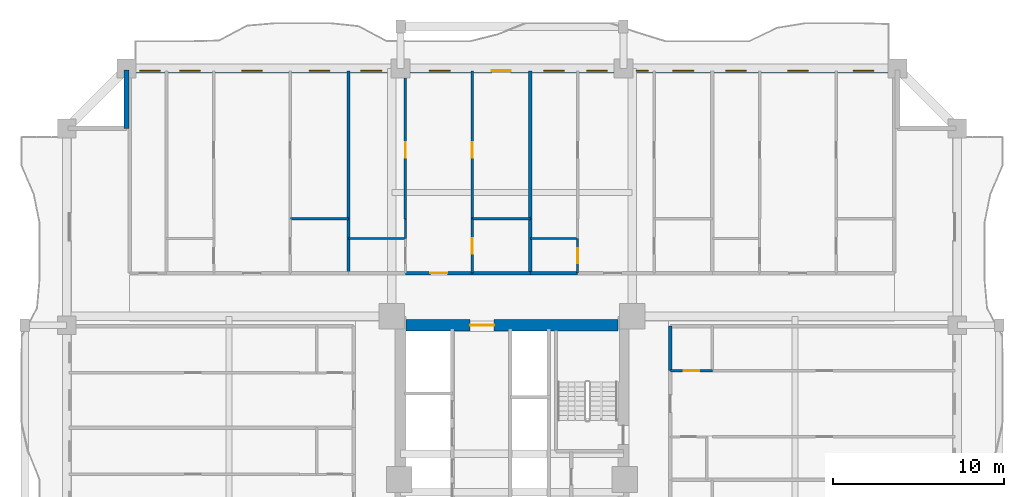
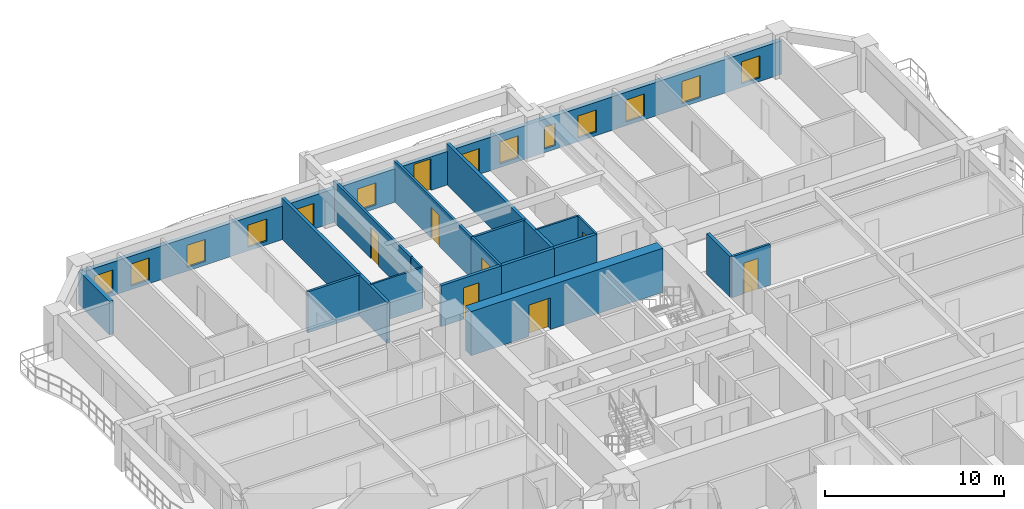
# One storey, part 7 of 16: 19 walls, 13 windows, 8 doors, 21 openings.
"""IFC4 building model written with IfcOpenShell, lengths in metres."""

from ifc_helpers import new_model, si_unit, direction, frame, frame_2d, origin, place, context, subcontext, project, spatial, rectangle, extrude, source, transform, mapped, material, layer, layer_set, type_object, element, fill, save


model = new_model("IFC4")

# Units and contexts
model_context = context("Model", 3, precision=1e-05, world=origin(), true_north=direction((0.0, 1.0)))
body_context = subcontext(model_context, "Body", "Model", "MODEL_VIEW")
ifc_project = project(units=[si_unit("LENGTHUNIT", "METRE"), si_unit("AREAUNIT", "SQUARE_METRE"), si_unit("VOLUMEUNIT", "CUBIC_METRE"), si_unit("PLANEANGLEUNIT", "RADIAN"), si_unit("MASSUNIT", "GRAM", prefix="KILO")], contexts=[model_context])

# Site, building, storey
site_placement = place(None, origin())
site = spatial("IfcSite", under=ifc_project, at=site_placement, CompositionType="ELEMENT")
building_placement = place(site_placement, origin())
building = spatial("IfcBuilding", under=site, at=building_placement, Name="Saelheon Loggia Tower", CompositionType="ELEMENT")
storey_placement = place(building_placement, frame((0.0, 0.0, 31.39990234375)))
storey = spatial("IfcBuildingStorey", under=building, at=storey_placement, Name="L09", CompositionType="ELEMENT", Elevation=31.39990234375)

# Wall, opening, door
ifc_material_1 = material(Name="Concrete C60/75", Category="concrete")
ifc_layer_1 = layer(ifc_material_1, 0.64990234375)
ifc_layer_set_1 = layer_set([ifc_layer_1], Name="Concrete C60/75")
wall_type_1 = type_object("IfcWallType", Name="Wall_CoreShear_650", PredefinedType="SHEAR", material=ifc_layer_set_1)
wall_1_placement = place(storey_placement, frame((31.824951171875, 36.0, 0.0), z_axis=(0.0, 0.0, 1.0), x_axis=(1.0, 0.0, 0.0)))
wall_1 = element("IfcWall", 1, at=wall_1_placement, inside=storey, type_object=wall_type_1, Name="L09 Core Shear Wall North", PredefinedType="SHEAR", context=body_context, shape_type="SweptSolid", body=[
    extrude(rectangle(XDim=12.35009765625, YDim=0.64990234375, at=frame_2d((6.175048828125, 0.0))), origin(), (0.0, 0.0, 1.0), 3.0),
])
opening_1_placement = place(wall_1_placement, frame((5.125, 0.0, 0.0), z_axis=(0.0, 0.0, 1.0), x_axis=(-1.0, 0.0, 0.0)))
opening_1 = element("IfcOpeningElement", 2, at=opening_1_placement, cuts=wall_1, Name="Opening D-FD2L", PredefinedType="OPENING", context=body_context, shape_type="SweptSolid", body=[
    extrude(rectangle(XDim=1.39990234375, YDim=2.14990234375, at=frame_2d((0.699951171875, 1.074951171875))), frame((0.0, 0.3369140625, 0.0), z_axis=(0.0, -1.0, 0.0), x_axis=(1.0, 0.0, 0.0)), (0.0, 0.0, 1.0), 0.673828125),
])
ifc_material_2 = material(Name="Galvanised Steel Glazed Lobby Fire Door", Category="steel")
door_type_1 = type_object("IfcDoorType", Name="Door_Fire_FD60_1400", OperationType="NOTDEFINED", PredefinedType="DOOR", material=ifc_material_2)
shared_shape_1 = source(origin(), body_context, "Body", "SweptSolid", [
    extrude(rectangle(XDim=1.39990234375, YDim=2.14990234375, at=frame_2d((0.699951171875, 1.074951171875))), frame((0.0, 0.02490234375, 0.0), z_axis=(0.0, -1.0, 0.0), x_axis=(1.0, 0.0, 0.0)), (0.0, 0.0, 1.0), 0.050048828125),
])
door_1_placement = place(opening_1_placement, origin())
door_1 = element("IfcDoor", 3, at=door_1_placement, inside=storey, type_object=door_type_1, Name="L09 Passenger Lift Lobby Main Door", OperationType="SINGLE_SWING_RIGHT", OverallHeight=2.14990234375, OverallWidth=1.39990234375, PredefinedType="DOOR", context=body_context, shape_type="MappedRepresentation", body=[
    mapped(shared_shape_1, transform((0.0, 0.0, 0.0), scale=1.0)),
])
fill(opening_1, door_1)

# Wall, openings, windows, door
ifc_material_3 = material(Name="Architectural Precast Concrete C40/50", Category="concrete")
ifc_layer_2 = layer(ifc_material_3, 0.280029296875)
ifc_layer_set_2 = layer_set([ifc_layer_2], Name="Architectural Precast Concrete C40/50")
wall_type_2 = type_object("IfcWallType", Name="Wall_Ext_Loggia_280", PredefinedType="SOLIDWALL", material=ifc_layer_set_2)
wall_2_placement = place(storey_placement, frame((15.5, 50.860107421875, 0.0), z_axis=(0.0, 0.0, 1.0), x_axis=(1.0, 0.0, 0.0)))
wall_2 = element("IfcWall", 4, at=wall_2_placement, inside=storey, type_object=wall_type_2, Name="L09 North Loggia Inner Wall", PredefinedType="SOLIDWALL", context=body_context, shape_type="SweptSolid", body=[
    extrude(rectangle(XDim=45.0, YDim=0.280029296875, at=frame_2d((22.5, 0.0))), origin(), (0.0, 0.0, 1.0), 2.280029296875),
])
opening_2_placement = place(wall_2_placement, frame((0.760009765625, 0.0, 0.25)))
opening_2 = element("IfcOpeningElement", 5, at=opening_2_placement, cuts=wall_2, Name="Opening WN-03", PredefinedType="OPENING", context=body_context, shape_type="SweptSolid", body=[
    extrude(rectangle(XDim=1.199951171875, YDim=1.5, at=frame_2d((0.60009765625, 0.75))), frame((0.0, 0.152099609375, 0.0), z_axis=(0.0, -1.0, 0.0), x_axis=(1.0, 0.0, 0.0)), (0.0, 0.0, 1.0), 0.303955078125),
])
opening_3_placement = place(wall_2_placement, frame((3.11083984375, 0.0, 0.25)))
opening_3 = element("IfcOpeningElement", 6, at=opening_3_placement, cuts=wall_2, Name="Opening WN-03", PredefinedType="OPENING", context=body_context, shape_type="SweptSolid", body=[
    extrude(rectangle(XDim=1.199951171875, YDim=1.5, at=frame_2d((0.60009765625, 0.75))), frame((0.0, 0.152099609375, 0.0), z_axis=(0.0, -1.0, 0.0), x_axis=(1.0, 0.0, 0.0)), (0.0, 0.0, 1.0), 0.303955078125),
])
opening_4_placement = place(wall_2_placement, frame((6.72265625, 0.0, 0.25)))
opening_4 = element("IfcOpeningElement", 7, at=opening_4_placement, cuts=wall_2, Name="Opening WN-03", PredefinedType="OPENING", context=body_context, shape_type="SweptSolid", body=[
    extrude(rectangle(XDim=1.199951171875, YDim=1.5, at=frame_2d((0.60009765625, 0.75))), frame((0.0, 0.152099609375, 0.0), z_axis=(0.0, -1.0, 0.0), x_axis=(1.0, 0.0, 0.0)), (0.0, 0.0, 1.0), 0.303955078125),
])
opening_5_placement = place(wall_2_placement, frame((10.65283203125, 0.0, 0.25)))
opening_5 = element("IfcOpeningElement", 8, at=opening_5_placement, cuts=wall_2, Name="Opening WN-03", PredefinedType="OPENING", context=body_context, shape_type="SweptSolid", body=[
    extrude(rectangle(XDim=1.199951171875, YDim=1.5, at=frame_2d((0.60009765625, 0.75))), frame((0.0, 0.152099609375, 0.0), z_axis=(0.0, -1.0, 0.0), x_axis=(1.0, 0.0, 0.0)), (0.0, 0.0, 1.0), 0.303955078125),
])
opening_6_placement = place(wall_2_placement, frame((13.681396484375, 0.0, 0.25)))
opening_6 = element("IfcOpeningElement", 9, at=opening_6_placement, cuts=wall_2, Name="Opening WN-03", PredefinedType="OPENING", context=body_context, shape_type="SweptSolid", body=[
    extrude(rectangle(XDim=1.199951171875, YDim=1.5, at=frame_2d((0.60009765625, 0.75))), frame((0.0, 0.152099609375, 0.0), z_axis=(0.0, -1.0, 0.0), x_axis=(1.0, 0.0, 0.0)), (0.0, 0.0, 1.0), 0.303955078125),
])
opening_7_placement = place(wall_2_placement, frame((17.682861328125, 0.0, 0.25)))
opening_7 = element("IfcOpeningElement", 10, at=opening_7_placement, cuts=wall_2, Name="Opening WN-03", PredefinedType="OPENING", context=body_context, shape_type="SweptSolid", body=[
    extrude(rectangle(XDim=1.199951171875, YDim=1.5, at=frame_2d((0.60009765625, 0.75))), frame((0.0, 0.152099609375, 0.0), z_axis=(0.0, -1.0, 0.0), x_axis=(1.0, 0.0, 0.0)), (0.0, 0.0, 1.0), 0.303955078125),
])
opening_8_placement = place(wall_2_placement, frame((21.325439453125, 0.0, 0.0)))
opening_8 = element("IfcOpeningElement", 11, at=opening_8_placement, cuts=wall_2, Name="Opening TD1", PredefinedType="OPENING", context=body_context, shape_type="SweptSolid", body=[
    extrude(rectangle(XDim=1.10009765625, YDim=2.14990234375, at=frame_2d((0.550048828125, 1.074951171875))), frame((0.0, 0.152099609375, 0.0), z_axis=(0.0, -1.0, 0.0), x_axis=(1.0, 0.0, 0.0)), (0.0, 0.0, 1.0), 0.303955078125),
])
opening_9_placement = place(wall_2_placement, frame((24.35595703125, 0.0, 0.25)))
opening_9 = element("IfcOpeningElement", 12, at=opening_9_placement, cuts=wall_2, Name="Opening WN-03", PredefinedType="OPENING", context=body_context, shape_type="SweptSolid", body=[
    extrude(rectangle(XDim=1.199951171875, YDim=1.5, at=frame_2d((0.60009765625, 0.75))), frame((0.0, 0.152099609375, 0.0), z_axis=(0.0, -1.0, 0.0), x_axis=(1.0, 0.0, 0.0)), (0.0, 0.0, 1.0), 0.303955078125),
])
opening_10_placement = place(wall_2_placement, frame((26.873291015625, 0.0, 0.25)))
opening_10 = element("IfcOpeningElement", 13, at=opening_10_placement, cuts=wall_2, Name="Opening WN-03", PredefinedType="OPENING", context=body_context, shape_type="SweptSolid", body=[
    extrude(rectangle(XDim=1.199951171875, YDim=1.5, at=frame_2d((0.60009765625, 0.75))), frame((0.0, 0.152099609375, 0.0), z_axis=(0.0, -1.0, 0.0), x_axis=(1.0, 0.0, 0.0)), (0.0, 0.0, 1.0), 0.303955078125),
])
opening_11_placement = place(wall_2_placement, frame((29.744140625, 0.0, 0.25)))
opening_11 = element("IfcOpeningElement", 14, at=opening_11_placement, cuts=wall_2, Name="Opening WN-06", PredefinedType="OPENING", context=body_context, shape_type="SweptSolid", body=[
    extrude(rectangle(XDim=0.699951171875, YDim=1.5, at=frame_2d((0.35009765625, 0.75))), frame((0.0, 0.152099609375, 0.0), z_axis=(0.0, -1.0, 0.0), x_axis=(1.0, 0.0, 0.0)), (0.0, 0.0, 1.0), 0.303955078125),
])
opening_12_placement = place(wall_2_placement, frame((31.89794921875, 0.0, 0.25)))
opening_12 = element("IfcOpeningElement", 15, at=opening_12_placement, cuts=wall_2, Name="Opening WN-03", PredefinedType="OPENING", context=body_context, shape_type="SweptSolid", body=[
    extrude(rectangle(XDim=1.199951171875, YDim=1.5, at=frame_2d((0.60009765625, 0.75))), frame((0.0, 0.152099609375, 0.0), z_axis=(0.0, -1.0, 0.0), x_axis=(1.0, 0.0, 0.0)), (0.0, 0.0, 1.0), 0.303955078125),
])
opening_13_placement = place(wall_2_placement, frame((34.978515625, 0.0, 0.25)))
opening_13 = element("IfcOpeningElement", 16, at=opening_13_placement, cuts=wall_2, Name="Opening WN-03", PredefinedType="OPENING", context=body_context, shape_type="SweptSolid", body=[
    extrude(rectangle(XDim=1.199951171875, YDim=1.5, at=frame_2d((0.60009765625, 0.75))), frame((0.0, 0.152099609375, 0.0), z_axis=(0.0, -1.0, 0.0), x_axis=(1.0, 0.0, 0.0)), (0.0, 0.0, 1.0), 0.303955078125),
])
opening_14_placement = place(wall_2_placement, frame((38.590087890625, 0.0, 0.25)))
opening_14 = element("IfcOpeningElement", 17, at=opening_14_placement, cuts=wall_2, Name="Opening WN-03", PredefinedType="OPENING", context=body_context, shape_type="SweptSolid", body=[
    extrude(rectangle(XDim=1.199951171875, YDim=1.5, at=frame_2d((0.60009765625, 0.75))), frame((0.0, 0.152099609375, 0.0), z_axis=(0.0, -1.0, 0.0), x_axis=(1.0, 0.0, 0.0)), (0.0, 0.0, 1.0), 0.303955078125),
])
opening_15_placement = place(wall_2_placement, frame((42.415283203125, 0.0, 0.25)))
opening_15 = element("IfcOpeningElement", 18, at=opening_15_placement, cuts=wall_2, Name="Opening WN-03", PredefinedType="OPENING", context=body_context, shape_type="SweptSolid", body=[
    extrude(rectangle(XDim=1.199951171875, YDim=1.5, at=frame_2d((0.60009765625, 0.75))), frame((0.0, 0.152099609375, 0.0), z_axis=(0.0, -1.0, 0.0), x_axis=(1.0, 0.0, 0.0)), (0.0, 0.0, 1.0), 0.303955078125),
])
ifc_material_4 = material(Name="Thermal-Break Aluminium and Triple Low-E Glass", Category="aluminium")
window_type_1 = type_object("IfcWindowType", Name="Win_Slot_700x1500", PartitioningType="SINGLE_PANEL", PredefinedType="WINDOW", material=ifc_material_4)
shared_shape_2 = source(origin(), body_context, "Body", "SweptSolid", [
    extrude(rectangle(XDim=0.699951171875, YDim=1.5, at=frame_2d((0.35009765625, 0.75))), frame((0.0, 0.030029296875, 0.0), z_axis=(0.0, -1.0, 0.0), x_axis=(1.0, 0.0, 0.0)), (0.0, 0.0, 1.0), 0.06005859375),
])
window_1_placement = place(opening_11_placement, origin())
window_1 = element("IfcWindow", 19, at=window_1_placement, inside=storey, type_object=window_type_1, Name="L09 N Dwelling Window 10", OverallHeight=1.5, OverallWidth=0.699951171875, PartitioningType="SINGLE_PANEL", PredefinedType="WINDOW", context=body_context, shape_type="MappedRepresentation", body=[
    mapped(shared_shape_2, transform((0.0, 0.0, 0.0), scale=1.0)),
])
fill(opening_11, window_1)
window_type_2 = type_object("IfcWindowType", Name="Win_Bedroom_1200x1500", PartitioningType="SINGLE_PANEL", PredefinedType="WINDOW", material=ifc_material_4)
shared_shape_3 = source(origin(), body_context, "Body", "SweptSolid", [
    extrude(rectangle(XDim=1.199951171875, YDim=1.5, at=frame_2d((0.60009765625, 0.75))), frame((0.0, 0.030029296875, 0.0), z_axis=(0.0, -1.0, 0.0), x_axis=(1.0, 0.0, 0.0)), (0.0, 0.0, 1.0), 0.06005859375),
])
window_2_placement = place(opening_2_placement, origin())
window_2 = element("IfcWindow", 20, at=window_2_placement, inside=storey, type_object=window_type_2, Name="L09 N Dwelling Window 1", OverallHeight=1.5, OverallWidth=1.199951171875, PartitioningType="SINGLE_PANEL", PredefinedType="WINDOW", context=body_context, shape_type="MappedRepresentation", body=[
    mapped(shared_shape_3, transform((0.0, 0.0, 0.0), scale=1.0)),
])
fill(opening_2, window_2)
window_3_placement = place(opening_3_placement, origin())
window_3 = element("IfcWindow", 21, at=window_3_placement, inside=storey, type_object=window_type_2, Name="L09 N Dwelling Window 2", OverallHeight=1.5, OverallWidth=1.199951171875, PartitioningType="SINGLE_PANEL", PredefinedType="WINDOW", context=body_context, shape_type="MappedRepresentation", body=[
    mapped(shared_shape_3, transform((0.0, 0.0, 0.0), scale=1.0)),
])
fill(opening_3, window_3)
window_4_placement = place(opening_4_placement, origin())
window_4 = element("IfcWindow", 22, at=window_4_placement, inside=storey, type_object=window_type_2, Name="L09 N Dwelling Window 3", OverallHeight=1.5, OverallWidth=1.199951171875, PartitioningType="SINGLE_PANEL", PredefinedType="WINDOW", context=body_context, shape_type="MappedRepresentation", body=[
    mapped(shared_shape_3, transform((0.0, 0.0, 0.0), scale=1.0)),
])
fill(opening_4, window_4)
window_5_placement = place(opening_5_placement, origin())
window_5 = element("IfcWindow", 23, at=window_5_placement, inside=storey, type_object=window_type_2, Name="L09 N Dwelling Window 4", OverallHeight=1.5, OverallWidth=1.199951171875, PartitioningType="SINGLE_PANEL", PredefinedType="WINDOW", context=body_context, shape_type="MappedRepresentation", body=[
    mapped(shared_shape_3, transform((0.0, 0.0, 0.0), scale=1.0)),
])
fill(opening_5, window_5)
window_6_placement = place(opening_6_placement, origin())
window_6 = element("IfcWindow", 24, at=window_6_placement, inside=storey, type_object=window_type_2, Name="L09 N Dwelling Window 5", OverallHeight=1.5, OverallWidth=1.199951171875, PartitioningType="SINGLE_PANEL", PredefinedType="WINDOW", context=body_context, shape_type="MappedRepresentation", body=[
    mapped(shared_shape_3, transform((0.0, 0.0, 0.0), scale=1.0)),
])
fill(opening_6, window_6)
window_7_placement = place(opening_7_placement, origin())
window_7 = element("IfcWindow", 25, at=window_7_placement, inside=storey, type_object=window_type_2, Name="L09 N Dwelling Window 6", OverallHeight=1.5, OverallWidth=1.199951171875, PartitioningType="SINGLE_PANEL", PredefinedType="WINDOW", context=body_context, shape_type="MappedRepresentation", body=[
    mapped(shared_shape_3, transform((0.0, 0.0, 0.0), scale=1.0)),
])
fill(opening_7, window_7)
window_8_placement = place(opening_9_placement, origin())
window_8 = element("IfcWindow", 26, at=window_8_placement, inside=storey, type_object=window_type_2, Name="L09 N Dwelling Window 8", OverallHeight=1.5, OverallWidth=1.199951171875, PartitioningType="SINGLE_PANEL", PredefinedType="WINDOW", context=body_context, shape_type="MappedRepresentation", body=[
    mapped(shared_shape_3, transform((0.0, 0.0, 0.0), scale=1.0)),
])
fill(opening_9, window_8)
window_9_placement = place(opening_10_placement, origin())
window_9 = element("IfcWindow", 27, at=window_9_placement, inside=storey, type_object=window_type_2, Name="L09 N Dwelling Window 9", OverallHeight=1.5, OverallWidth=1.199951171875, PartitioningType="SINGLE_PANEL", PredefinedType="WINDOW", context=body_context, shape_type="MappedRepresentation", body=[
    mapped(shared_shape_3, transform((0.0, 0.0, 0.0), scale=1.0)),
])
fill(opening_10, window_9)
window_10_placement = place(opening_12_placement, origin())
window_10 = element("IfcWindow", 28, at=window_10_placement, inside=storey, type_object=window_type_2, Name="L09 N Dwelling Window 11", OverallHeight=1.5, OverallWidth=1.199951171875, PartitioningType="SINGLE_PANEL", PredefinedType="WINDOW", context=body_context, shape_type="MappedRepresentation", body=[
    mapped(shared_shape_3, transform((0.0, 0.0, 0.0), scale=1.0)),
])
fill(opening_12, window_10)
window_11_placement = place(opening_13_placement, origin())
window_11 = element("IfcWindow", 29, at=window_11_placement, inside=storey, type_object=window_type_2, Name="L09 N Dwelling Window 12", OverallHeight=1.5, OverallWidth=1.199951171875, PartitioningType="SINGLE_PANEL", PredefinedType="WINDOW", context=body_context, shape_type="MappedRepresentation", body=[
    mapped(shared_shape_3, transform((0.0, 0.0, 0.0), scale=1.0)),
])
fill(opening_13, window_11)
window_12_placement = place(opening_14_placement, origin())
window_12 = element("IfcWindow", 30, at=window_12_placement, inside=storey, type_object=window_type_2, Name="L09 N Dwelling Window 13", OverallHeight=1.5, OverallWidth=1.199951171875, PartitioningType="SINGLE_PANEL", PredefinedType="WINDOW", context=body_context, shape_type="MappedRepresentation", body=[
    mapped(shared_shape_3, transform((0.0, 0.0, 0.0), scale=1.0)),
])
fill(opening_14, window_12)
window_13_placement = place(opening_15_placement, origin())
window_13 = element("IfcWindow", 31, at=window_13_placement, inside=storey, type_object=window_type_2, Name="L09 N Dwelling Window 14", OverallHeight=1.5, OverallWidth=1.199951171875, PartitioningType="SINGLE_PANEL", PredefinedType="WINDOW", context=body_context, shape_type="MappedRepresentation", body=[
    mapped(shared_shape_3, transform((0.0, 0.0, 0.0), scale=1.0)),
])
fill(opening_15, window_13)
ifc_material_5 = material(Name="Thermal-Break Aluminium Glazed Door", Category="aluminium")
door_type_2 = type_object("IfcDoorType", Name="Door_Terrace_TD1", OperationType="NOTDEFINED", PredefinedType="DOOR", material=ifc_material_5)
shared_shape_4 = source(origin(), body_context, "Body", "SweptSolid", [
    extrude(rectangle(XDim=1.10009765625, YDim=2.14990234375, at=frame_2d((0.550048828125, 1.074951171875))), frame((0.0, 0.02490234375, 0.0), z_axis=(0.0, -1.0, 0.0), x_axis=(1.0, 0.0, 0.0)), (0.0, 0.0, 1.0), 0.050048828125),
])
door_2_placement = place(opening_8_placement, origin())
door_2 = element("IfcDoor", 32, at=door_2_placement, inside=storey, type_object=door_type_2, Name="L09 N Loggia Access Door", OperationType="SINGLE_SWING_LEFT", OverallHeight=2.14990234375, OverallWidth=1.10009765625, PredefinedType="DOOR", context=body_context, shape_type="MappedRepresentation", body=[
    mapped(shared_shape_4, transform((0.0, 0.0, 0.0), scale=1.0)),
])
fill(opening_8, door_2)

# Walls
wall_3_placement = place(storey_placement, frame((15.5, 47.5, 0.0), z_axis=(0.0, 0.0, 1.0), x_axis=(0.0, 1.0, 0.0)))
element("IfcWall", 33, at=wall_3_placement, inside=storey, type_object=wall_type_2, Name="L09 Corner Notch Precast Wall NW1", PredefinedType="SOLIDWALL", context=body_context, shape_type="SweptSolid", body=[
    extrude(rectangle(XDim=3.419921875, YDim=0.280029296875, at=frame_2d((1.7099609375, 0.0))), origin(), (0.0, 0.0, 1.0), 2.280029296875),
])
ifc_material_6 = material(Name="Lightweight Autoclaved Aerated Concrete Block and Acoustic Gypsum", Category="concrete")
ifc_layer_3 = layer(ifc_material_6, 0.14990234375)
ifc_layer_set_3 = layer_set([ifc_layer_3], Name="Lightweight Autoclaved Aerated Concrete Block and Acoustic Gypsum")
wall_type_3 = type_object("IfcWallType", Name="Wall_Part_150", PredefinedType="PARTITIONING", material=ifc_layer_set_3)
for number, where, z_axis, x_axis, name in (
    (34, (25.05322265625, 42.219970703125, 0.0), (0.0, 0.0, 1.0), (1.0, 0.0, 0.0), "L09 N Partition V09"),
    (35, (35.67578125, 42.219970703125, 0.0), (0.0, 0.0, 1.0), (1.0, 0.0, 0.0), "L09 N Partition V20"),
):
    element("IfcWall", number, at=place(storey_placement, frame(where, z_axis=z_axis, x_axis=x_axis)), inside=storey, type_object=wall_type_3, Name=name, PredefinedType="PARTITIONING", context=body_context, shape_type="SweptSolid", body=[
        extrude(rectangle(XDim=3.399169921875, YDim=0.14990234375, at=frame_2d((1.69970703125, 0.0))), origin(), (0.0, 0.0, 1.0), 2.7900390625),
    ])

# Wall, opening, door
wall_4_placement = place(storey_placement, frame((31.780029296875, 42.219970703125, 0.0), z_axis=(0.0, 0.0, 1.0), x_axis=(0.0, 1.0, 0.0)))
wall_4 = element("IfcWall", 36, at=wall_4_placement, inside=storey, type_object=wall_type_3, Name="L09 N Partition U23", PredefinedType="PARTITIONING", context=body_context, shape_type="SweptSolid", body=[
    extrude(rectangle(XDim=8.630126953125, YDim=0.14990234375, at=frame_2d((4.31494140625, 0.0))), origin(), (0.0, 0.0, 1.0), 2.7900390625),
])
opening_16_placement = place(wall_4_placement, frame((3.56298828125, 0.0, 0.0)))
opening_16 = element("IfcOpeningElement", 37, at=opening_16_placement, cuts=wall_4, Name="Opening D-IN2", PredefinedType="OPENING", context=body_context, shape_type="SweptSolid", body=[
    extrude(rectangle(XDim=0.89990234375, YDim=2.10009765625, at=frame_2d((0.449951171875, 1.050048828125))), frame((0.0, 0.0869140625, 0.0), z_axis=(0.0, -1.0, 0.0), x_axis=(1.0, 0.0, 0.0)), (0.0, 0.0, 1.0), 0.173828125),
])
ifc_material_7 = material(Name="Engineered Oak Flush Door", Category="timber")
door_type_3 = type_object("IfcDoorType", Name="Door_Int_900", OperationType="NOTDEFINED", PredefinedType="DOOR", material=ifc_material_7)
shared_shape_5 = source(origin(), body_context, "Body", "SweptSolid", [
    extrude(rectangle(XDim=0.89990234375, YDim=2.10009765625, at=frame_2d((0.449951171875, 1.050048828125))), frame((0.0, 0.02490234375, 0.0), z_axis=(0.0, -1.0, 0.0), x_axis=(1.0, 0.0, 0.0)), (0.0, 0.0, 1.0), 0.050048828125),
])
door_3_placement = place(opening_16_placement, origin())
door_3 = element("IfcDoor", 38, at=door_3_placement, inside=storey, type_object=door_type_3, Name="Unit U06 Bedroom 2 Door", OperationType="SINGLE_SWING_RIGHT", OverallHeight=2.10009765625, OverallWidth=0.89990234375, PredefinedType="DOOR", context=body_context, shape_type="MappedRepresentation", body=[
    mapped(shared_shape_5, transform((0.0, 0.0, 0.0), scale=1.0)),
])
fill(opening_16, door_3)

wall_5_placement = place(storey_placement, frame((35.67578125, 39.050048828125, 0.0), z_axis=(0.0, 0.0, 1.0), x_axis=(0.0, 1.0, 0.0)))
wall_5 = element("IfcWall", 39, at=wall_5_placement, inside=storey, type_object=wall_type_3, Name="L09 N Partition U24", PredefinedType="PARTITIONING", context=body_context, shape_type="SweptSolid", body=[
    extrude(rectangle(XDim=3.169921875, YDim=0.14990234375, at=frame_2d((1.5849609375, 0.0))), origin(), (0.0, 0.0, 1.0), 2.7900390625),
])
opening_17_placement = place(wall_5_placement, frame((1.135009765625, 0.0, 0.0)))
opening_17 = element("IfcOpeningElement", 40, at=opening_17_placement, cuts=wall_5, Name="Opening D-IN2", PredefinedType="OPENING", context=body_context, shape_type="SweptSolid", body=[
    extrude(rectangle(XDim=0.89990234375, YDim=2.10009765625, at=frame_2d((0.449951171875, 1.050048828125))), frame((0.0, 0.0869140625, 0.0), z_axis=(0.0, -1.0, 0.0), x_axis=(1.0, 0.0, 0.0)), (0.0, 0.0, 1.0), 0.173828125),
])
door_4_placement = place(opening_17_placement, origin())
door_4 = element("IfcDoor", 41, at=door_4_placement, inside=storey, type_object=door_type_3, Name="Unit U06 Kitchen Door", OperationType="SINGLE_SWING_LEFT", OverallHeight=2.10009765625, OverallWidth=0.89990234375, PredefinedType="DOOR", context=body_context, shape_type="MappedRepresentation", body=[
    mapped(shared_shape_5, transform((0.0, 0.0, 0.0), scale=1.0)),
])
fill(opening_17, door_4)

wall_6_placement = place(storey_placement, frame((35.67578125, 42.219970703125, 0.0), z_axis=(0.0, 0.0, 1.0), x_axis=(0.0, 1.0, 0.0)))
wall_6 = element("IfcWall", 42, at=wall_6_placement, inside=storey, type_object=wall_type_3, Name="L09 N Partition U25", PredefinedType="PARTITIONING", context=body_context, shape_type="SweptSolid", body=[
    extrude(rectangle(XDim=8.630126953125, YDim=0.14990234375, at=frame_2d((4.31494140625, 0.0))), origin(), (0.0, 0.0, 1.0), 2.7900390625),
])
opening_18_placement = place(wall_6_placement, frame((3.56298828125, 0.0, 0.0)))
opening_18 = element("IfcOpeningElement", 43, at=opening_18_placement, cuts=wall_6, Name="Opening D-IN2", PredefinedType="OPENING", context=body_context, shape_type="SweptSolid", body=[
    extrude(rectangle(XDim=0.89990234375, YDim=2.10009765625, at=frame_2d((0.449951171875, 1.050048828125))), frame((0.0, 0.0869140625, 0.0), z_axis=(0.0, -1.0, 0.0), x_axis=(1.0, 0.0, 0.0)), (0.0, 0.0, 1.0), 0.173828125),
])
door_5_placement = place(opening_18_placement, origin())
door_5 = element("IfcDoor", 44, at=door_5_placement, inside=storey, type_object=door_type_3, Name="Unit U06 Bedroom 1 Door", OperationType="SINGLE_SWING_RIGHT", OverallHeight=2.10009765625, OverallWidth=0.89990234375, PredefinedType="DOOR", context=body_context, shape_type="MappedRepresentation", body=[
    mapped(shared_shape_5, transform((0.0, 0.0, 0.0), scale=1.0)),
])
fill(opening_18, door_5)

wall_7_placement = place(storey_placement, frame((47.25, 33.35009765625, 0.0), z_axis=(0.0, 0.0, 1.0), x_axis=(1.0, 0.0, 0.0)))
wall_7 = element("IfcWall", 45, at=wall_7_placement, inside=storey, type_object=wall_type_3, Name="L09 E Partition U20", PredefinedType="PARTITIONING", context=body_context, shape_type="SweptSolid", body=[
    extrude(rectangle(XDim=2.449951171875, YDim=0.14990234375, at=frame_2d((1.22509765625, 0.0))), origin(), (0.0, 0.0, 1.0), 2.7900390625),
])
opening_19_placement = place(wall_7_placement, frame((0.77490234375, 0.0, 0.0)))
opening_19 = element("IfcOpeningElement", 46, at=opening_19_placement, cuts=wall_7, Name="Opening D-IN2", PredefinedType="OPENING", context=body_context, shape_type="SweptSolid", body=[
    extrude(rectangle(XDim=0.89990234375, YDim=2.10009765625, at=frame_2d((0.449951171875, 1.050048828125))), frame((0.0, 0.0869140625, 0.0), z_axis=(0.0, -1.0, 0.0), x_axis=(1.0, 0.0, 0.0)), (0.0, 0.0, 1.0), 0.173828125),
])
door_6_placement = place(opening_19_placement, origin())
door_6 = element("IfcDoor", 47, at=door_6_placement, inside=storey, type_object=door_type_3, Name="Unit U13 Dressing Closet Door", OperationType="SINGLE_SWING_RIGHT", OverallHeight=2.10009765625, OverallWidth=0.89990234375, PredefinedType="DOOR", context=body_context, shape_type="MappedRepresentation", body=[
    mapped(shared_shape_5, transform((0.0, 0.0, 0.0), scale=1.0)),
])
fill(opening_19, door_6)

# Wall
ifc_material_8 = material(Name="Double Acoustic Stud and Fireboard Partition", Category="gypsum")
ifc_layer_4 = layer(ifc_material_8, 0.199951171875)
ifc_layer_set_4 = layer_set([ifc_layer_4], Name="Double Acoustic Stud and Fireboard Partition")
wall_type_4 = type_object("IfcWallType", Name="Wall_Party_200", PredefinedType="PARTITIONING", material=ifc_layer_set_4)
wall_8_placement = place(storey_placement, frame((28.452392578125, 39.050048828125, 0.0), z_axis=(0.0, 0.0, 1.0), x_axis=(0.0, 1.0, 0.0)))
element("IfcWall", 48, at=wall_8_placement, inside=storey, type_object=wall_type_4, Name="L09 N Partition U15", PredefinedType="PARTITIONING", context=body_context, shape_type="SweptSolid", body=[
    extrude(rectangle(XDim=11.800048828125, YDim=0.199951171875, at=frame_2d((5.89990234375, 0.0))), origin(), (0.0, 0.0, 1.0), 2.7900390625),
])

# Wall, opening, door
wall_9_placement = place(storey_placement, frame((31.780029296875, 39.050048828125, 0.0), z_axis=(0.0, 0.0, 1.0), x_axis=(1.0, 0.0, 0.0)))
wall_9 = element("IfcWall", 49, at=wall_9_placement, inside=storey, type_object=wall_type_4, Name="L09 N Partition V17", PredefinedType="PARTITIONING", context=body_context, shape_type="SweptSolid", body=[
    extrude(rectangle(XDim=3.895751953125, YDim=0.199951171875, at=frame_2d((1.94775390625, 0.0))), origin(), (0.0, 0.0, 1.0), 2.7900390625),
])
opening_20_placement = place(wall_9_placement, frame((1.447998046875, 0.0, 0.0)))
opening_20 = element("IfcOpeningElement", 50, at=opening_20_placement, cuts=wall_9, Name="Opening D-FD1", PredefinedType="OPENING", context=body_context, shape_type="SweptSolid", body=[
    extrude(rectangle(XDim=1.0, YDim=2.14990234375, at=frame_2d((0.5, 1.074951171875))), frame((0.0, 0.112060546875, 0.0), z_axis=(0.0, -1.0, 0.0), x_axis=(1.0, 0.0, 0.0)), (0.0, 0.0, 1.0), 0.223876953125),
])
ifc_material_9 = material(Name="Fire-Rated Engineered Timber Entrance Door", Category="wood")
door_type_4 = type_object("IfcDoorType", Name="Door_Flat_FD30S", OperationType="NOTDEFINED", PredefinedType="DOOR", material=ifc_material_9)
shared_shape_6 = source(origin(), body_context, "Body", "SweptSolid", [
    extrude(rectangle(XDim=1.0, YDim=2.14990234375, at=frame_2d((0.5, 1.074951171875))), frame((0.0, 0.02490234375, 0.0), z_axis=(0.0, -1.0, 0.0), x_axis=(1.0, 0.0, 0.0)), (0.0, 0.0, 1.0), 0.050048828125),
])
door_7_placement = place(opening_20_placement, origin())
door_7 = element("IfcDoor", 51, at=door_7_placement, inside=storey, type_object=door_type_4, Name="Unit U06 Entrance Door", OperationType="SINGLE_SWING_RIGHT", OverallHeight=2.14990234375, OverallWidth=1.0, PredefinedType="DOOR", context=body_context, shape_type="MappedRepresentation", body=[
    mapped(shared_shape_6, transform((0.0, 0.0, 0.0), scale=1.0)),
])
fill(opening_20, door_7)

# Walls
wall_10_placement = place(storey_placement, frame((35.67578125, 39.050048828125, 0.0), z_axis=(0.0, 0.0, 1.0), x_axis=(1.0, 0.0, 0.0)))
element("IfcWall", 52, at=wall_10_placement, inside=storey, type_object=wall_type_4, Name="L09 N Partition V18", PredefinedType="PARTITIONING", context=body_context, shape_type="SweptSolid", body=[
    extrude(rectangle(XDim=3.399169921875, YDim=0.199951171875, at=frame_2d((1.69970703125, 0.0))), origin(), (0.0, 0.0, 1.0), 2.7900390625),
])
wall_11_placement = place(storey_placement, frame((39.074951171875, 39.050048828125, 0.0), z_axis=(0.0, 0.0, 1.0), x_axis=(0.0, 1.0, 0.0)))
element("IfcWall", 53, at=wall_11_placement, inside=storey, type_object=wall_type_4, Name="L09 N Partition U26", PredefinedType="PARTITIONING", context=body_context, shape_type="SweptSolid", body=[
    extrude(rectangle(XDim=11.800048828125, YDim=0.199951171875, at=frame_2d((5.89990234375, 0.0))), origin(), (0.0, 0.0, 1.0), 2.7900390625),
])
wall_12_placement = place(storey_placement, frame((39.074951171875, 39.050048828125, 0.0), z_axis=(0.0, 0.0, 1.0), x_axis=(1.0, 0.0, 0.0)))
element("IfcWall", 54, at=wall_12_placement, inside=storey, type_object=wall_type_4, Name="L09 N Partition V27", PredefinedType="PARTITIONING", context=body_context, shape_type="SweptSolid", body=[
    extrude(rectangle(XDim=2.761962890625, YDim=0.199951171875, at=frame_2d((1.380859375, 0.0))), origin(), (0.0, 0.0, 1.0), 2.7900390625),
])
wall_13_placement = place(storey_placement, frame((47.25, 33.35009765625, 0.0), z_axis=(0.0, 0.0, 1.0), x_axis=(0.0, 1.0, 0.0)))
element("IfcWall", 55, at=wall_13_placement, inside=storey, type_object=wall_type_4, Name="L09 E Partition V15", PredefinedType="PARTITIONING", context=body_context, shape_type="SweptSolid", body=[
    extrude(rectangle(XDim=2.599853515625, YDim=0.199951171875, at=frame_2d((1.2998046875, 0.0))), origin(), (0.0, 0.0, 1.0), 2.7900390625),
])
ifc_material_10 = material(Name="Moisture-Resistant Cement Board Partition", Category="gypsum")
ifc_layer_5 = layer(ifc_material_10, 0.1201171875)
ifc_layer_set_5 = layer_set([ifc_layer_5], Name="Moisture-Resistant Cement Board Partition")
wall_type_5 = type_object("IfcWallType", Name="Wall_WetPart_120", PredefinedType="PARTITIONING", material=ifc_layer_set_5)
wall_14_placement = place(storey_placement, frame((28.452392578125, 41.070068359375, 0.0), z_axis=(0.0, 0.0, 1.0), x_axis=(1.0, 0.0, 0.0)))
element("IfcWall", 56, at=wall_14_placement, inside=storey, type_object=wall_type_5, Name="L09 N Partition V19", PredefinedType="PARTITIONING", context=body_context, shape_type="SweptSolid", body=[
    extrude(rectangle(XDim=3.32763671875, YDim=0.1201171875, at=frame_2d((1.663818359375, 0.0))), origin(), (0.0, 0.0, 1.0), 2.7900390625),
])
wall_15_placement = place(storey_placement, frame((31.780029296875, 41.070068359375, 0.0), z_axis=(0.0, 0.0, 1.0), x_axis=(0.0, 1.0, 0.0)))
element("IfcWall", 57, at=wall_15_placement, inside=storey, type_object=wall_type_5, Name="L09 N Partition U22", PredefinedType="PARTITIONING", context=body_context, shape_type="SweptSolid", body=[
    extrude(rectangle(XDim=1.14990234375, YDim=0.1201171875, at=frame_2d((0.574951171875, 0.0))), origin(), (0.0, 0.0, 1.0), 2.7900390625),
])
wall_16_placement = place(storey_placement, frame((39.074951171875, 41.070068359375, 0.0), z_axis=(0.0, 0.0, 1.0), x_axis=(1.0, 0.0, 0.0)))
element("IfcWall", 58, at=wall_16_placement, inside=storey, type_object=wall_type_5, Name="L09 N Partition V30", PredefinedType="PARTITIONING", context=body_context, shape_type="SweptSolid", body=[
    extrude(rectangle(XDim=2.761962890625, YDim=0.1201171875, at=frame_2d((1.380859375, 0.0))), origin(), (0.0, 0.0, 1.0), 2.7900390625),
])

# Wall, opening, door
wall_17_placement = place(storey_placement, frame((41.8369140625, 39.050048828125, 0.0), z_axis=(0.0, 0.0, 1.0), x_axis=(0.0, 1.0, 0.0)))
wall_17 = element("IfcWall", 59, at=wall_17_placement, inside=storey, type_object=wall_type_5, Name="L09 N Partition U32", PredefinedType="PARTITIONING", context=body_context, shape_type="SweptSolid", body=[
    extrude(rectangle(XDim=2.02001953125, YDim=0.1201171875, at=frame_2d((1.010009765625, 0.0))), origin(), (0.0, 0.0, 1.0), 2.7900390625),
])
opening_21_placement = place(wall_17_placement, frame((0.5849609375, 0.0, 0.0)))
opening_21 = element("IfcOpeningElement", 60, at=opening_21_placement, cuts=wall_17, Name="Opening D-BT1", PredefinedType="OPENING", context=body_context, shape_type="SweptSolid", body=[
    extrude(rectangle(XDim=0.85009765625, YDim=2.050048828125, at=frame_2d((0.425048828125, 1.02490234375))), frame((0.0, 0.072021484375, 0.0), z_axis=(0.0, -1.0, 0.0), x_axis=(1.0, 0.0, 0.0)), (0.0, 0.0, 1.0), 0.14404296875),
])
ifc_material_11 = material(Name="Moisture-Resistant Laminate Timber Door", Category="wood")
door_type_5 = type_object("IfcDoorType", Name="Door_Bath_850", OperationType="NOTDEFINED", PredefinedType="DOOR", material=ifc_material_11)
shared_shape_7 = source(origin(), body_context, "Body", "SweptSolid", [
    extrude(rectangle(XDim=0.85009765625, YDim=2.050048828125, at=frame_2d((0.425048828125, 1.02490234375))), frame((0.0, 0.02490234375, 0.0), z_axis=(0.0, -1.0, 0.0), x_axis=(1.0, 0.0, 0.0)), (0.0, 0.0, 1.0), 0.050048828125),
])
door_8_placement = place(opening_21_placement, origin())
door_8 = element("IfcDoor", 61, at=door_8_placement, inside=storey, type_object=door_type_5, Name="Unit U07 Bathroom Door", OperationType="SINGLE_SWING_RIGHT", OverallHeight=2.050048828125, OverallWidth=0.85009765625, PredefinedType="DOOR", context=body_context, shape_type="MappedRepresentation", body=[
    mapped(shared_shape_7, transform((0.0, 0.0, 0.0), scale=1.0)),
])
fill(opening_21, door_8)

save(model, "model.ifc")
